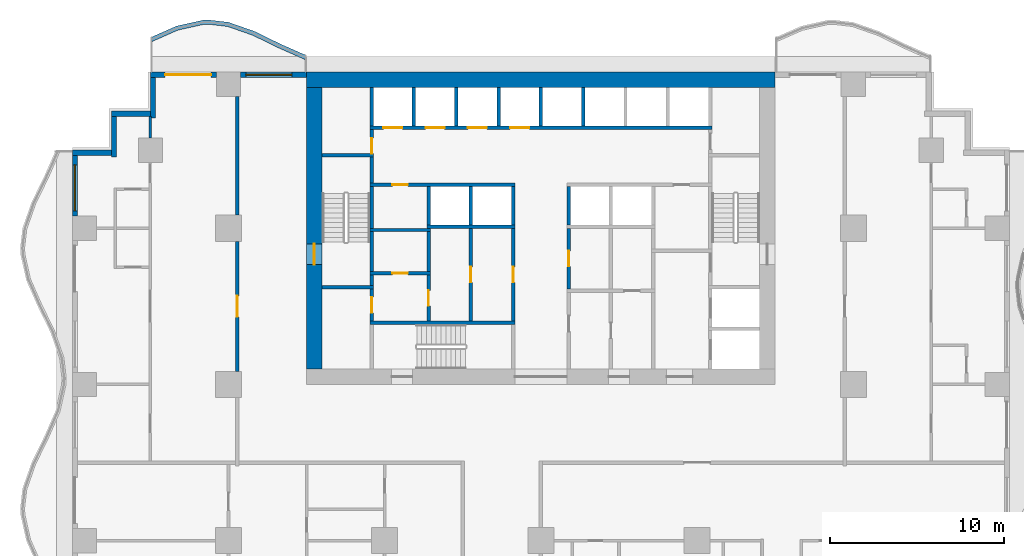
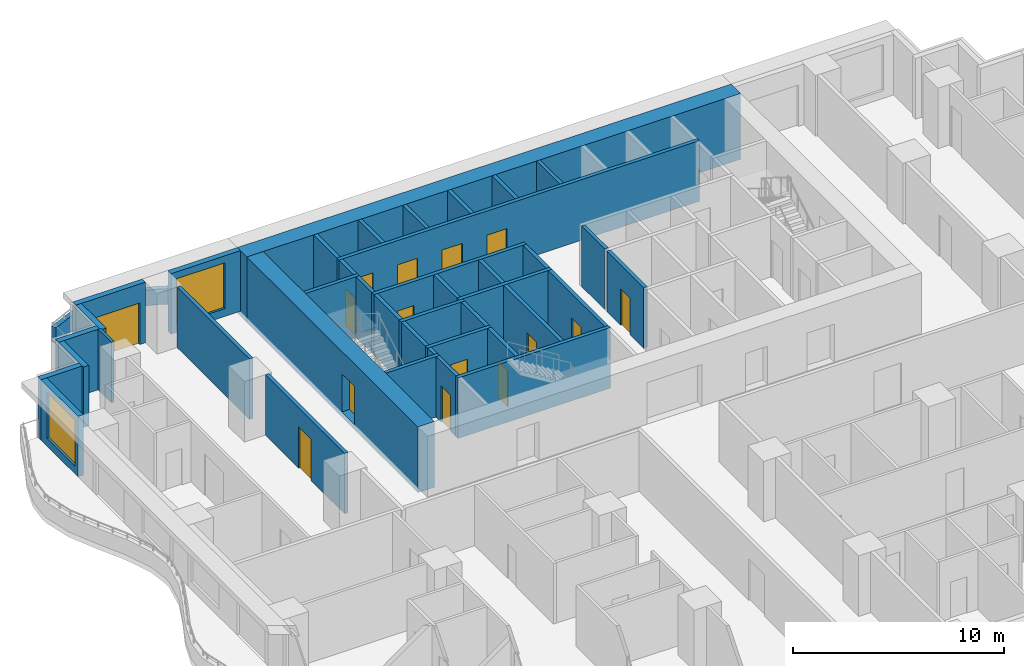
# One storey, part 5 of 14: 42 walls, 15 doors, 2 windows, 17 openings.
"""IFC4 building model written with IfcOpenShell, lengths in metres."""

from ifc_helpers import new_model, si_unit, direction, frame, frame_2d, origin, place, context, subcontext, project, spatial, polyline, rectangle, outline, extrude, material, layer, layer_set, type_object, element, fill, save


model = new_model("IFC4")

# Units and contexts
model_context = context("Model", 3, precision=1e-05, world=origin(), true_north=direction((0.0, 1.0)))
body_context = subcontext(model_context, "Body", "Model", "MODEL_VIEW")
ifc_project = project(units=[si_unit("LENGTHUNIT", "METRE"), si_unit("AREAUNIT", "SQUARE_METRE"), si_unit("VOLUMEUNIT", "CUBIC_METRE"), si_unit("PLANEANGLEUNIT", "RADIAN"), si_unit("MASSUNIT", "GRAM", prefix="KILO")], contexts=[model_context])

# Site, building, storey
site_placement = place(None, origin())
site = spatial("IfcSite", under=ifc_project, at=site_placement, CompositionType="ELEMENT")
building_placement = place(site_placement, origin())
building = spatial("IfcBuilding", under=site, at=building_placement, Name="Orbiselva Terraces", CompositionType="ELEMENT")
storey_placement = place(building_placement, frame((0.0, 0.0, 41.6)))
storey = spatial("IfcBuildingStorey", under=building, at=storey_placement, Name="L10", CompositionType="ELEMENT", Elevation=41.6)

# Wall, opening, door
ifc_material_1 = material(Name="Concrete C80/95", Category="concrete")
ifc_layer_1 = layer(ifc_material_1, 0.9)
ifc_layer_set_1 = layer_set([ifc_layer_1], Name="Concrete C80/95")
wall_type_1 = type_object("IfcWallType", Name="CORE WALL 900", PredefinedType="SHEAR", material=ifc_layer_set_1)
wall_1_placement = place(storey_placement, frame((-13.05, 21.6, -0.3), z_axis=(0.0, 0.0, 1.0), x_axis=(0.0, -1.0, 0.0)))
wall_1 = element("IfcWall", 1, at=wall_1_placement, inside=storey, type_object=wall_type_1, Name="Core wall L10 west", PredefinedType="SHEAR", context=body_context, shape_type="SweptSolid", body=[
    extrude(rectangle(XDim=16.2, YDim=0.9, at=frame_2d((8.1, 0.0))), origin(), (0.0, 0.0, 1.0), 3.8),
])
opening_1_placement = place(wall_1_placement, frame((9.0, 0.0, 0.3)))
opening_1 = element("IfcOpeningElement", 2, at=opening_1_placement, cuts=wall_1, Name="Opening DS1200", PredefinedType="OPENING", context=body_context, shape_type="SweptSolid", body=[
    extrude(rectangle(XDim=1.2, YDim=2.2, at=frame_2d((0.6, 1.1))), frame((0.0, 0.46, 0.0), z_axis=(0.0, -1.0, 0.0), x_axis=(1.0, 0.0, 0.0)), (0.0, 0.0, 1.0), 0.92),
])
ifc_material_2 = material(Name="Steel fire door", Category="steel")
door_type_1 = type_object("IfcDoorType", Name="STAIR DOOR 1200", OperationType="NOTDEFINED", PredefinedType="DOOR", material=ifc_material_2)
door_1_placement = place(opening_1_placement, frame((1.2, 0.0, 0.0), z_axis=(0.0, 0.0, 1.0), x_axis=(-1.0, 0.0, 0.0)))
door_1 = element("IfcDoor", 3, at=door_1_placement, inside=storey, type_object=door_type_1, Name="L10 EXIT STAIR S1 door", OperationType="SINGLE_SWING_RIGHT", OverallHeight=2.2, OverallWidth=1.2, PredefinedType="DOOR", context=body_context, shape_type="SweptSolid", body=[
    extrude(rectangle(XDim=1.2, YDim=2.2, at=frame_2d((0.6, 1.1))), frame((0.0, 0.025, 0.0), z_axis=(0.0, -1.0, 0.0), x_axis=(1.0, 0.0, 0.0)), (0.0, 0.0, 1.0), 0.05),
])
fill(opening_1, door_1)

# Wall
ifc_layer_2 = layer(ifc_material_1, 0.9)
ifc_layer_set_2 = layer_set([ifc_layer_2], Name="Concrete C80/95")
wall_type_2 = type_object("IfcWallType", Name="CORE WALL 900 EXTERNAL", PredefinedType="SHEAR", material=ifc_layer_set_2)
wall_2_placement = place(storey_placement, frame((13.5, 22.05, -0.3), z_axis=(0.0, 0.0, 1.0), x_axis=(-1.0, 0.0, 0.0)))
element("IfcWall", 4, at=wall_2_placement, inside=storey, type_object=wall_type_2, Name="Core wall L10 north", PredefinedType="SHEAR", context=body_context, shape_type="SweptSolid", body=[
    extrude(rectangle(XDim=27.0, YDim=0.9, at=frame_2d((13.5, 0.0))), origin(), (0.0, 0.0, 1.0), 3.8),
])

# Wall, opening, door
ifc_material_3 = material(Name="Masonry blockwork", Category="masonry")
ifc_layer_3 = layer(ifc_material_3, 0.2)
ifc_layer_set_3 = layer_set([ifc_layer_3], Name="Masonry blockwork")
wall_type_3 = type_object("IfcWallType", Name="CORE-WALL-PARTITION-200", PredefinedType="PARTITIONING", material=ifc_layer_set_3)
wall_3_placement = place(storey_placement, frame((-9.75, 8.15, 0.0), z_axis=(0.0, 0.0, 1.0), x_axis=(0.0, 1.0, 0.0)))
wall_3 = element("IfcWall", 5, at=wall_3_placement, inside=storey, type_object=wall_type_3, Name="L10 core wall 05", PredefinedType="PARTITIONING", context=body_context, shape_type="SweptSolid", body=[
    extrude(rectangle(XDim=1.85, YDim=0.2, at=frame_2d((0.925, 0.0))), origin(), (0.0, 0.0, 1.0), 3.5),
])
opening_2_placement = place(wall_3_placement, frame((0.475, 0.0, 0.0)))
opening_2 = element("IfcOpeningElement", 6, at=opening_2_placement, cuts=wall_3, Name="Opening DR900", PredefinedType="OPENING", context=body_context, shape_type="SweptSolid", body=[
    extrude(rectangle(XDim=0.9, YDim=2.1, at=frame_2d((0.45, 1.05))), frame((0.0, 0.11, 0.0), z_axis=(0.0, -1.0, 0.0), x_axis=(1.0, 0.0, 0.0)), (0.0, 0.0, 1.0), 0.22),
])
door_type_2 = type_object("IfcDoorType", Name="ROOM DOOR 900", OperationType="NOTDEFINED", PredefinedType="DOOR", material=ifc_material_2)
door_2_placement = place(opening_2_placement, origin())
door_2 = element("IfcDoor", 7, at=door_2_placement, inside=storey, type_object=door_type_2, Name="L10 STAFF WC door", OperationType="SINGLE_SWING_RIGHT", OverallHeight=2.1, OverallWidth=0.9, PredefinedType="DOOR", context=body_context, shape_type="SweptSolid", body=[
    extrude(rectangle(XDim=0.9, YDim=2.1, at=frame_2d((0.45, 1.05))), frame((0.0, 0.025, 0.0), z_axis=(0.0, -1.0, 0.0), x_axis=(1.0, 0.0, 0.0)), (0.0, 0.0, 1.0), 0.05),
])
fill(opening_2, door_2)

wall_4_placement = place(storey_placement, frame((-9.75, 17.8, 0.0), z_axis=(0.0, 0.0, 1.0), x_axis=(0.0, 1.0, 0.0)))
wall_4 = element("IfcWall", 8, at=wall_4_placement, inside=storey, type_object=wall_type_3, Name="L10 core wall 13", PredefinedType="PARTITIONING", context=body_context, shape_type="SweptSolid", body=[
    extrude(rectangle(XDim=1.4, YDim=0.2, at=frame_2d((0.7, 0.0))), origin(), (0.0, 0.0, 1.0), 3.5),
])
opening_3_placement = place(wall_4_placement, origin())
opening_3 = element("IfcOpeningElement", 9, at=opening_3_placement, cuts=wall_4, Name="Opening DR900", PredefinedType="OPENING", context=body_context, shape_type="SweptSolid", body=[
    extrude(rectangle(XDim=0.9, YDim=2.1, at=frame_2d((0.45, 1.05))), frame((0.0, 0.11, 0.0), z_axis=(0.0, -1.0, 0.0), x_axis=(1.0, 0.0, 0.0)), (0.0, 0.0, 1.0), 0.22),
])
door_3_placement = place(opening_3_placement, origin())
door_3 = element("IfcDoor", 10, at=door_3_placement, inside=storey, type_object=door_type_2, Name="L10 ELECTRICAL RISER ROOM door", OperationType="SINGLE_SWING_LEFT", OverallHeight=2.1, OverallWidth=0.9, PredefinedType="DOOR", context=body_context, shape_type="SweptSolid", body=[
    extrude(rectangle(XDim=0.9, YDim=2.1, at=frame_2d((0.45, 1.05))), frame((0.0, 0.025, 0.0), z_axis=(0.0, -1.0, 0.0), x_axis=(1.0, 0.0, 0.0)), (0.0, 0.0, 1.0), 0.05),
])
fill(opening_3, door_3)

wall_5_placement = place(storey_placement, frame((-6.475, 8.15, 0.0), z_axis=(0.0, 0.0, 1.0), x_axis=(0.0, 1.0, 0.0)))
wall_5 = element("IfcWall", 11, at=wall_5_placement, inside=storey, type_object=wall_type_3, Name="L10 core wall 17", PredefinedType="PARTITIONING", context=body_context, shape_type="SweptSolid", body=[
    extrude(rectangle(XDim=2.65, YDim=0.2, at=frame_2d((1.325, 0.0))), origin(), (0.0, 0.0, 1.0), 3.5),
])
opening_4_placement = place(wall_5_placement, frame((0.875, 0.0, 0.0)))
opening_4 = element("IfcOpeningElement", 12, at=opening_4_placement, cuts=wall_5, Name="Opening DR900", PredefinedType="OPENING", context=body_context, shape_type="SweptSolid", body=[
    extrude(rectangle(XDim=0.9, YDim=2.1, at=frame_2d((0.45, 1.05))), frame((0.0, 0.11, 0.0), z_axis=(0.0, -1.0, 0.0), x_axis=(1.0, 0.0, 0.0)), (0.0, 0.0, 1.0), 0.22),
])
door_4_placement = place(opening_4_placement, origin())
door_4 = element("IfcDoor", 13, at=door_4_placement, inside=storey, type_object=door_type_2, Name="L10 UNIFORM STORE door", OperationType="SINGLE_SWING_LEFT", OverallHeight=2.1, OverallWidth=0.9, PredefinedType="DOOR", context=body_context, shape_type="SweptSolid", body=[
    extrude(rectangle(XDim=0.9, YDim=2.1, at=frame_2d((0.45, 1.05))), frame((0.0, 0.025, 0.0), z_axis=(0.0, -1.0, 0.0), x_axis=(1.0, 0.0, 0.0)), (0.0, 0.0, 1.0), 0.05),
])
fill(opening_4, door_4)

# Wall
wall_6_placement = place(storey_placement, frame((-6.475, 11.0, 0.0), z_axis=(0.0, 0.0, 1.0), x_axis=(0.0, 1.0, 0.0)))
element("IfcWall", 14, at=wall_6_placement, inside=storey, type_object=wall_type_3, Name="L10 core wall 18", PredefinedType="PARTITIONING", context=body_context, shape_type="SweptSolid", body=[
    extrude(rectangle(XDim=2.3, YDim=0.2, at=frame_2d((1.15, 0.0))), origin(), (0.0, 0.0, 1.0), 3.5),
])

# Wall, opening, door
wall_7_placement = place(storey_placement, frame((-4.0375, 8.15, 0.0), z_axis=(0.0, 0.0, 1.0), x_axis=(0.0, 1.0, 0.0)))
wall_7 = element("IfcWall", 15, at=wall_7_placement, inside=storey, type_object=wall_type_3, Name="L10 core wall 22", PredefinedType="PARTITIONING", context=body_context, shape_type="SweptSolid", body=[
    extrude(rectangle(XDim=5.35, YDim=0.2, at=frame_2d((2.675, 0.0))), origin(), (0.0, 0.0, 1.0), 3.5),
])
opening_5_placement = place(wall_7_placement, frame((2.225, 0.0, 0.0)))
opening_5 = element("IfcOpeningElement", 16, at=opening_5_placement, cuts=wall_7, Name="Opening DR900", PredefinedType="OPENING", context=body_context, shape_type="SweptSolid", body=[
    extrude(rectangle(XDim=0.9, YDim=2.1, at=frame_2d((0.45, 1.05))), frame((0.0, 0.11, 0.0), z_axis=(0.0, -1.0, 0.0), x_axis=(1.0, 0.0, 0.0)), (0.0, 0.0, 1.0), 0.22),
])
door_5_placement = place(opening_5_placement, origin())
door_5 = element("IfcDoor", 17, at=door_5_placement, inside=storey, type_object=door_type_2, Name="L10 BUILDING STORE door", OperationType="SINGLE_SWING_RIGHT", OverallHeight=2.1, OverallWidth=0.9, PredefinedType="DOOR", context=body_context, shape_type="SweptSolid", body=[
    extrude(rectangle(XDim=0.9, YDim=2.1, at=frame_2d((0.45, 1.05))), frame((0.0, 0.025, 0.0), z_axis=(0.0, -1.0, 0.0), x_axis=(1.0, 0.0, 0.0)), (0.0, 0.0, 1.0), 0.05),
])
fill(opening_5, door_5)

# Walls
ifc_material_4 = material(Name="Concrete C40/50", Category="concrete")
ifc_layer_4 = layer(ifc_material_4, 0.2)
ifc_layer_set_4 = layer_set([ifc_layer_4], Name="Concrete C40/50")
wall_type_4 = type_object("IfcWallType", Name="CORE-WALL-SHAFT-200", PredefinedType="PARTITIONING", material=ifc_layer_set_4)
for number, where, z_axis, x_axis, name in (
    (18, (-9.75, 19.4, 0.0), (0.0, 0.0, 1.0), (0.0, 1.0, 0.0), "L10 core wall 15"),
    (19, (-7.3125, 19.4, 0.0), (0.0, 0.0, 1.0), (0.0, 1.0, 0.0), "L10 core wall 16"),
    (20, (-6.475, 13.7, 0.0), (0.0, 0.0, 1.0), (0.0, 1.0, 0.0), "L10 core wall 20"),
    (21, (-4.875, 19.4, 0.0), (0.0, 0.0, 1.0), (0.0, 1.0, 0.0), "L10 core wall 21"),
    (22, (-4.0375, 13.7, 0.0), (0.0, 0.0, 1.0), (0.0, 1.0, 0.0), "L10 core wall 23"),
    (23, (-2.4375, 19.4, 0.0), (0.0, 0.0, 1.0), (0.0, 1.0, 0.0), "L10 core wall 24"),
    (24, (-1.6, 13.7, 0.0), (0.0, 0.0, 1.0), (0.0, 1.0, 0.0), "L10 core wall 27"),
    (25, (0.0, 19.4, 0.0), (0.0, 0.0, 1.0), (0.0, 1.0, 0.0), "L10 core wall 28"),
    (26, (1.6, 13.7, 0.0), (0.0, 0.0, 1.0), (0.0, 1.0, 0.0), "L10 core wall 33"),
    (27, (2.4375, 19.4, 0.0), (0.0, 0.0, 1.0), (0.0, 1.0, 0.0), "L10 core wall 35"),
):
    element("IfcWall", number, at=place(storey_placement, frame(where, z_axis=z_axis, x_axis=x_axis)), inside=storey, type_object=wall_type_4, Name=name, PredefinedType="PARTITIONING", context=body_context, shape_type="SweptSolid", body=[
        extrude(rectangle(XDim=2.2, YDim=0.2, at=frame_2d((1.1, 0.0))), origin(), (0.0, 0.0, 1.0), 3.5),
    ])
ifc_material_5 = material(Name="Concrete C60/75", Category="concrete")
ifc_layer_5 = layer(ifc_material_5, 0.2)
ifc_layer_set_5 = layer_set([ifc_layer_5], Name="Concrete C60/75")
wall_type_5 = type_object("IfcWallType", Name="CORE-WALL-SHEAR-200", PredefinedType="SHEAR", material=ifc_layer_set_5)
for number, where, z_axis, x_axis, name in (
    (28, (-12.6, 10.1, 0.0), (0.0, 0.0, 1.0), (1.0, 0.0, 0.0), "L10 core wall 01"),
    (29, (-12.6, 17.7, 0.0), (0.0, 0.0, 1.0), (1.0, 0.0, 0.0), "L10 core wall 02"),
):
    element("IfcWall", number, at=place(storey_placement, frame(where, z_axis=z_axis, x_axis=x_axis)), inside=storey, type_object=wall_type_5, Name=name, PredefinedType="SHEAR", context=body_context, shape_type="SweptSolid", body=[
        extrude(rectangle(XDim=2.95, YDim=0.2, at=frame_2d((1.475, 0.0))), origin(), (0.0, 0.0, 1.0), 3.5),
    ])
wall_8_placement = place(storey_placement, frame((-9.85, 8.05, 0.0), z_axis=(0.0, 0.0, 1.0), x_axis=(1.0, 0.0, 0.0)))
element("IfcWall", 30, at=wall_8_placement, inside=storey, type_object=wall_type_5, Name="L10 core wall 04", PredefinedType="SHEAR", context=body_context, shape_type="SweptSolid", body=[
    extrude(rectangle(XDim=8.35, YDim=0.2, at=frame_2d((4.175, 0.0))), origin(), (0.0, 0.0, 1.0), 3.5),
])
wall_9_placement = place(storey_placement, frame((-9.75, 10.2, 0.0), z_axis=(0.0, 0.0, 1.0), x_axis=(0.0, 1.0, 0.0)))
element("IfcWall", 31, at=wall_9_placement, inside=storey, type_object=wall_type_5, Name="L10 core wall 06", PredefinedType="SHEAR", context=body_context, shape_type="SweptSolid", body=[
    extrude(rectangle(XDim=0.6, YDim=0.2, at=frame_2d((0.3, 0.0))), origin(), (0.0, 0.0, 1.0), 3.5),
])

# Wall, opening, door
wall_10_placement = place(storey_placement, frame((-9.85, 10.9, 0.0), z_axis=(0.0, 0.0, 1.0), x_axis=(1.0, 0.0, 0.0)))
wall_10 = element("IfcWall", 32, at=wall_10_placement, inside=storey, type_object=wall_type_5, Name="L10 core wall 07", PredefinedType="SHEAR", context=body_context, shape_type="SweptSolid", body=[
    extrude(rectangle(XDim=3.475, YDim=0.2, at=frame_2d((1.7375, 0.0))), origin(), (0.0, 0.0, 1.0), 3.5),
])
opening_6_placement = place(wall_10_placement, frame((1.2875, 0.0, 0.0)))
opening_6 = element("IfcOpeningElement", 33, at=opening_6_placement, cuts=wall_10, Name="Opening DR900", PredefinedType="OPENING", context=body_context, shape_type="SweptSolid", body=[
    extrude(rectangle(XDim=0.9, YDim=2.1, at=frame_2d((0.45, 1.05))), frame((0.0, 0.11, 0.0), z_axis=(0.0, -1.0, 0.0), x_axis=(1.0, 0.0, 0.0)), (0.0, 0.0, 1.0), 0.22),
])
door_6_placement = place(opening_6_placement, origin())
door_6 = element("IfcDoor", 34, at=door_6_placement, inside=storey, type_object=door_type_2, Name="L10 LAUNDRY ROOM door", OperationType="SINGLE_SWING_RIGHT", OverallHeight=2.1, OverallWidth=0.9, PredefinedType="DOOR", context=body_context, shape_type="SweptSolid", body=[
    extrude(rectangle(XDim=0.9, YDim=2.1, at=frame_2d((0.45, 1.05))), frame((0.0, 0.025, 0.0), z_axis=(0.0, -1.0, 0.0), x_axis=(1.0, 0.0, 0.0)), (0.0, 0.0, 1.0), 0.05),
])
fill(opening_6, door_6)

# Walls
wall_11_placement = place(storey_placement, frame((-9.75, 11.0, 0.0), z_axis=(0.0, 0.0, 1.0), x_axis=(0.0, 1.0, 0.0)))
element("IfcWall", 35, at=wall_11_placement, inside=storey, type_object=wall_type_5, Name="L10 core wall 08", PredefinedType="SHEAR", context=body_context, shape_type="SweptSolid", body=[
    extrude(rectangle(XDim=2.3, YDim=0.2, at=frame_2d((1.15, 0.0))), origin(), (0.0, 0.0, 1.0), 3.5),
])
wall_12_placement = place(storey_placement, frame((-9.85, 13.4, 0.0), z_axis=(0.0, 0.0, 1.0), x_axis=(1.0, 0.0, 0.0)))
element("IfcWall", 36, at=wall_12_placement, inside=storey, type_object=wall_type_5, Name="L10 core wall 09", PredefinedType="SHEAR", context=body_context, shape_type="SweptSolid", body=[
    extrude(rectangle(XDim=3.475, YDim=0.2, at=frame_2d((1.7375, 0.0))), origin(), (0.0, 0.0, 1.0), 3.5),
])
wall_13_placement = place(storey_placement, frame((-9.75, 13.5, 0.0), z_axis=(0.0, 0.0, 1.0), x_axis=(0.0, 1.0, 0.0)))
element("IfcWall", 37, at=wall_13_placement, inside=storey, type_object=wall_type_5, Name="L10 core wall 10", PredefinedType="SHEAR", context=body_context, shape_type="SweptSolid", body=[
    extrude(rectangle(XDim=2.4, YDim=0.2, at=frame_2d((1.2, 0.0))), origin(), (0.0, 0.0, 1.0), 3.5),
])

# Wall, opening, door
wall_14_placement = place(storey_placement, frame((-1.5, 16.0, 0.0), z_axis=(0.0, 0.0, 1.0), x_axis=(-1.0, 0.0, 0.0)))
wall_14 = element("IfcWall", 38, at=wall_14_placement, inside=storey, type_object=wall_type_5, Name="L10 core wall 11", PredefinedType="SHEAR", context=body_context, shape_type="SweptSolid", body=[
    extrude(rectangle(XDim=8.35, YDim=0.2, at=frame_2d((4.175, 0.0))), origin(), (0.0, 0.0, 1.0), 3.5),
])
opening_7_placement = place(wall_14_placement, frame((6.1625, 0.0, 0.0)))
opening_7 = element("IfcOpeningElement", 39, at=opening_7_placement, cuts=wall_14, Name="Opening DR900", PredefinedType="OPENING", context=body_context, shape_type="SweptSolid", body=[
    extrude(rectangle(XDim=0.9, YDim=2.1, at=frame_2d((0.45, 1.05))), frame((0.0, 0.11, 0.0), z_axis=(0.0, -1.0, 0.0), x_axis=(1.0, 0.0, 0.0)), (0.0, 0.0, 1.0), 0.22),
])
door_7_placement = place(opening_7_placement, origin())
door_7 = element("IfcDoor", 40, at=door_7_placement, inside=storey, type_object=door_type_2, Name="L10 STAFF PANTRY door", OperationType="SINGLE_SWING_RIGHT", OverallHeight=2.1, OverallWidth=0.9, PredefinedType="DOOR", context=body_context, shape_type="SweptSolid", body=[
    extrude(rectangle(XDim=0.9, YDim=2.1, at=frame_2d((0.45, 1.05))), frame((0.0, 0.025, 0.0), z_axis=(0.0, -1.0, 0.0), x_axis=(1.0, 0.0, 0.0)), (0.0, 0.0, 1.0), 0.05),
])
fill(opening_7, door_7)

# Wall
wall_15_placement = place(storey_placement, frame((-9.75, 16.1, 0.0), z_axis=(0.0, 0.0, 1.0), x_axis=(0.0, 1.0, 0.0)))
element("IfcWall", 41, at=wall_15_placement, inside=storey, type_object=wall_type_5, Name="L10 core wall 12", PredefinedType="SHEAR", context=body_context, shape_type="SweptSolid", body=[
    extrude(rectangle(XDim=1.5, YDim=0.2, at=frame_2d((0.75, 0.0))), origin(), (0.0, 0.0, 1.0), 3.5),
])

# Wall, openings, doors
wall_16_placement = place(storey_placement, frame((-9.85, 19.3, 0.0), z_axis=(0.0, 0.0, 1.0), x_axis=(1.0, 0.0, 0.0)))
wall_16 = element("IfcWall", 42, at=wall_16_placement, inside=storey, type_object=wall_type_5, Name="L10 core wall 14", PredefinedType="SHEAR", context=body_context, shape_type="SweptSolid", body=[
    extrude(rectangle(XDim=19.7, YDim=0.2, at=frame_2d((9.85, 0.0))), origin(), (0.0, 0.0, 1.0), 3.5),
])
opening_8_placement = place(wall_16_placement, frame((0.76875, 0.0, 0.0)))
opening_8 = element("IfcOpeningElement", 43, at=opening_8_placement, cuts=wall_16, Name="Opening LD-LR1", PredefinedType="OPENING", context=body_context, shape_type="SweptSolid", body=[
    extrude(rectangle(XDim=1.1, YDim=2.1, at=frame_2d((0.55, 1.05))), frame((0.0, 0.11, 0.0), z_axis=(0.0, -1.0, 0.0), x_axis=(1.0, 0.0, 0.0)), (0.0, 0.0, 1.0), 0.22),
])
opening_9_placement = place(wall_16_placement, frame((3.20625, 0.0, 0.0)))
opening_9 = element("IfcOpeningElement", 44, at=opening_9_placement, cuts=wall_16, Name="Opening LD-LR2", PredefinedType="OPENING", context=body_context, shape_type="SweptSolid", body=[
    extrude(rectangle(XDim=1.1, YDim=2.1, at=frame_2d((0.55, 1.05))), frame((0.0, 0.11, 0.0), z_axis=(0.0, -1.0, 0.0), x_axis=(1.0, 0.0, 0.0)), (0.0, 0.0, 1.0), 0.22),
])
opening_10_placement = place(wall_16_placement, frame((5.64375, 0.0, 0.0)))
opening_10 = element("IfcOpeningElement", 45, at=opening_10_placement, cuts=wall_16, Name="Opening LD-LR3", PredefinedType="OPENING", context=body_context, shape_type="SweptSolid", body=[
    extrude(rectangle(XDim=1.1, YDim=2.1, at=frame_2d((0.55, 1.05))), frame((0.0, 0.11, 0.0), z_axis=(0.0, -1.0, 0.0), x_axis=(1.0, 0.0, 0.0)), (0.0, 0.0, 1.0), 0.22),
])
opening_11_placement = place(wall_16_placement, frame((8.08125, 0.0, 0.0)))
opening_11 = element("IfcOpeningElement", 46, at=opening_11_placement, cuts=wall_16, Name="Opening LD-LR4", PredefinedType="OPENING", context=body_context, shape_type="SweptSolid", body=[
    extrude(rectangle(XDim=1.1, YDim=2.1, at=frame_2d((0.55, 1.05))), frame((0.0, 0.11, 0.0), z_axis=(0.0, -1.0, 0.0), x_axis=(1.0, 0.0, 0.0)), (0.0, 0.0, 1.0), 0.22),
])
ifc_material_6 = material(Name="Stainless steel landing door", Category="steel")
door_type_3 = type_object("IfcDoorType", Name="LANDING DOOR 1100", OperationType="SLIDING_TO_LEFT", PredefinedType="DOOR", material=ifc_material_6)
door_8_placement = place(opening_8_placement, origin())
door_8 = element("IfcDoor", 47, at=door_8_placement, inside=storey, type_object=door_type_3, Name="L10 landing door LR1", OperationType="SLIDING_TO_LEFT", OverallHeight=2.1, OverallWidth=1.1, PredefinedType="DOOR", context=body_context, shape_type="SweptSolid", body=[
    extrude(rectangle(XDim=1.1, YDim=2.1, at=frame_2d((0.55, 1.05))), frame((0.0, 0.025, 0.0), z_axis=(0.0, -1.0, 0.0), x_axis=(1.0, 0.0, 0.0)), (0.0, 0.0, 1.0), 0.05),
])
fill(opening_8, door_8)
door_9_placement = place(opening_9_placement, origin())
door_9 = element("IfcDoor", 48, at=door_9_placement, inside=storey, type_object=door_type_3, Name="L10 landing door LR2", OperationType="SLIDING_TO_LEFT", OverallHeight=2.1, OverallWidth=1.1, PredefinedType="DOOR", context=body_context, shape_type="SweptSolid", body=[
    extrude(rectangle(XDim=1.1, YDim=2.1, at=frame_2d((0.55, 1.05))), frame((0.0, 0.025, 0.0), z_axis=(0.0, -1.0, 0.0), x_axis=(1.0, 0.0, 0.0)), (0.0, 0.0, 1.0), 0.05),
])
fill(opening_9, door_9)
door_10_placement = place(opening_10_placement, origin())
door_10 = element("IfcDoor", 49, at=door_10_placement, inside=storey, type_object=door_type_3, Name="L10 landing door LR3", OperationType="SLIDING_TO_LEFT", OverallHeight=2.1, OverallWidth=1.1, PredefinedType="DOOR", context=body_context, shape_type="SweptSolid", body=[
    extrude(rectangle(XDim=1.1, YDim=2.1, at=frame_2d((0.55, 1.05))), frame((0.0, 0.025, 0.0), z_axis=(0.0, -1.0, 0.0), x_axis=(1.0, 0.0, 0.0)), (0.0, 0.0, 1.0), 0.05),
])
fill(opening_10, door_10)
door_11_placement = place(opening_11_placement, origin())
door_11 = element("IfcDoor", 50, at=door_11_placement, inside=storey, type_object=door_type_3, Name="L10 landing door LR4", OperationType="SLIDING_TO_LEFT", OverallHeight=2.1, OverallWidth=1.1, PredefinedType="DOOR", context=body_context, shape_type="SweptSolid", body=[
    extrude(rectangle(XDim=1.1, YDim=2.1, at=frame_2d((0.55, 1.05))), frame((0.0, 0.025, 0.0), z_axis=(0.0, -1.0, 0.0), x_axis=(1.0, 0.0, 0.0)), (0.0, 0.0, 1.0), 0.05),
])
fill(opening_11, door_11)

# Wall
wall_17_placement = place(storey_placement, frame((-6.575, 13.6, 0.0), z_axis=(0.0, 0.0, 1.0), x_axis=(1.0, 0.0, 0.0)))
element("IfcWall", 51, at=wall_17_placement, inside=storey, type_object=wall_type_5, Name="L10 core wall 19", PredefinedType="SHEAR", context=body_context, shape_type="SweptSolid", body=[
    extrude(rectangle(XDim=5.075, YDim=0.2, at=frame_2d((2.5375, 0.0))), origin(), (0.0, 0.0, 1.0), 3.5),
])

# Wall, opening, door
wall_18_placement = place(storey_placement, frame((-1.6, 8.15, 0.0), z_axis=(0.0, 0.0, 1.0), x_axis=(0.0, 1.0, 0.0)))
wall_18 = element("IfcWall", 52, at=wall_18_placement, inside=storey, type_object=wall_type_5, Name="L10 core wall 26", PredefinedType="SHEAR", context=body_context, shape_type="SweptSolid", body=[
    extrude(rectangle(XDim=5.35, YDim=0.2, at=frame_2d((2.675, 0.0))), origin(), (0.0, 0.0, 1.0), 3.5),
])
opening_12_placement = place(wall_18_placement, frame((2.225, 0.0, 0.0)))
opening_12 = element("IfcOpeningElement", 53, at=opening_12_placement, cuts=wall_18, Name="Opening DR900", PredefinedType="OPENING", context=body_context, shape_type="SweptSolid", body=[
    extrude(rectangle(XDim=0.9, YDim=2.1, at=frame_2d((0.45, 1.05))), frame((0.0, 0.11, 0.0), z_axis=(0.0, -1.0, 0.0), x_axis=(1.0, 0.0, 0.0)), (0.0, 0.0, 1.0), 0.22),
])
door_12_placement = place(opening_12_placement, origin())
door_12 = element("IfcDoor", 54, at=door_12_placement, inside=storey, type_object=door_type_2, Name="L10 GUEST PANTRY door", OperationType="SINGLE_SWING_RIGHT", OverallHeight=2.1, OverallWidth=0.9, PredefinedType="DOOR", context=body_context, shape_type="SweptSolid", body=[
    extrude(rectangle(XDim=0.9, YDim=2.1, at=frame_2d((0.45, 1.05))), frame((0.0, 0.025, 0.0), z_axis=(0.0, -1.0, 0.0), x_axis=(1.0, 0.0, 0.0)), (0.0, 0.0, 1.0), 0.05),
])
fill(opening_12, door_12)

wall_19_placement = place(storey_placement, frame((1.6, 13.5, 0.0), z_axis=(0.0, 0.0, 1.0), x_axis=(0.0, -1.0, 0.0)))
wall_19 = element("IfcWall", 55, at=wall_19_placement, inside=storey, type_object=wall_type_5, Name="L10 core wall 31", PredefinedType="SHEAR", context=body_context, shape_type="SweptSolid", body=[
    extrude(rectangle(XDim=3.5, YDim=0.2, at=frame_2d((1.75, 0.0))), origin(), (0.0, 0.0, 1.0), 3.5),
])
opening_13_placement = place(wall_19_placement, frame((1.3, 0.0, 0.0)))
opening_13 = element("IfcOpeningElement", 56, at=opening_13_placement, cuts=wall_19, Name="Opening DR900", PredefinedType="OPENING", context=body_context, shape_type="SweptSolid", body=[
    extrude(rectangle(XDim=0.9, YDim=2.1, at=frame_2d((0.45, 1.05))), frame((0.0, 0.11, 0.0), z_axis=(0.0, -1.0, 0.0), x_axis=(1.0, 0.0, 0.0)), (0.0, 0.0, 1.0), 0.22),
])
door_13_placement = place(opening_13_placement, origin())
door_13 = element("IfcDoor", 57, at=door_13_placement, inside=storey, type_object=door_type_2, Name="L10 COMMS ROOM door", OperationType="SINGLE_SWING_RIGHT", OverallHeight=2.1, OverallWidth=0.9, PredefinedType="DOOR", context=body_context, shape_type="SweptSolid", body=[
    extrude(rectangle(XDim=0.9, YDim=2.1, at=frame_2d((0.45, 1.05))), frame((0.0, 0.025, 0.0), z_axis=(0.0, -1.0, 0.0), x_axis=(1.0, 0.0, 0.0)), (0.0, 0.0, 1.0), 0.05),
])
fill(opening_13, door_13)

# Wall
ifc_layer_6 = layer(ifc_material_4, 0.25)
ifc_layer_set_6 = layer_set([ifc_layer_6], Name="Concrete C40/50")
wall_type_6 = type_object("IfcWallType", Name="ENV-PLANTER-250x900", PredefinedType="USERDEFINED", material=ifc_layer_set_6)
wall_20_placement = place(storey_placement, origin())
element("IfcWall", 58, at=wall_20_placement, inside=storey, type_object=wall_type_6, Name="Balcony planter L10 NW", ObjectType="PLANTER", PredefinedType="USERDEFINED", context=body_context, shape_type="SweptSolid", body=[
    extrude(outline(polyline([(-13.5, 23.451472), (-15.0, 24.112279), (-16.5, 24.844789), (-18.0, 25.369208), (-19.125, 25.5), (-19.5, 25.485226), (-21.0, 25.148528), (-22.5, 24.487721), (-22.399212, 24.258938), (-20.921492, 24.90993), (-19.467435, 25.236315), (-19.134572, 25.249429), (-18.056371, 25.124078), (-16.59644, 24.613667), (-15.105286, 23.885477), (-13.600788, 23.222689), (-13.5, 23.451472)])), origin(), (0.0, 0.0, 1.0), 0.9),
])

# Wall, opening, window
ifc_material_7 = material(Name="Terracotta cladding on masonry backing", Category="masonry")
ifc_layer_7 = layer(ifc_material_7, 0.3)
ifc_layer_set_7 = layer_set([ifc_layer_7], Name="Terracotta cladding on masonry backing")
wall_type_7 = type_object("IfcWallType", Name="ENV-WALL-TERRACOTTA-300", PredefinedType="SOLIDWALL", material=ifc_layer_set_7)
wall_21_placement = place(storey_placement, frame((-17.3, 22.35, 0.0), z_axis=(0.0, 0.0, 1.0), x_axis=(1.0, 0.0, 0.0)))
wall_21 = element("IfcWall", 59, at=wall_21_placement, inside=storey, type_object=wall_type_7, Name="Facade wall L10 NW", PredefinedType="SOLIDWALL", context=body_context, shape_type="SweptSolid", body=[
    extrude(rectangle(XDim=3.8, YDim=0.3, at=frame_2d((1.9, 0.0))), origin(), (0.0, 0.0, 1.0), 3.5),
])
opening_14_placement = place(wall_21_placement, frame((0.3, 0.0, 0.45)))
opening_14 = element("IfcOpeningElement", 60, at=opening_14_placement, cuts=wall_21, Name="Opening WN3", PredefinedType="OPENING", context=body_context, shape_type="SweptSolid", body=[
    extrude(rectangle(XDim=2.65, YDim=2.65, at=frame_2d((1.325, 1.325))), frame((0.0, 0.16, 0.0), z_axis=(0.0, -1.0, 0.0), x_axis=(1.0, 0.0, 0.0)), (0.0, 0.0, 1.0), 0.32),
])
ifc_material_8 = material(Name="Clear low-e glazing in aluminium frame", Category="aluminium")
window_type = type_object("IfcWindowType", Name="WINDOW 2650 X 2650 S450", PartitioningType="TRIPLE_PANEL_VERTICAL", PredefinedType="WINDOW", material=ifc_material_8)
window_1_placement = place(opening_14_placement, origin())
window_1 = element("IfcWindow", 61, at=window_1_placement, inside=storey, type_object=window_type, Name="Window L10 NW", OverallHeight=2.65, OverallWidth=2.65, PartitioningType="SINGLE_PANEL", PredefinedType="WINDOW", context=body_context, shape_type="SweptSolid", body=[
    extrude(rectangle(XDim=2.65, YDim=2.65, at=frame_2d((1.325, 1.325))), frame((0.0, 0.03, 0.0), z_axis=(0.0, -1.0, 0.0), x_axis=(1.0, 0.0, 0.0)), (0.0, 0.0, 1.0), 0.06),
])
fill(opening_14, window_1)

# Wall, opening, door
wall_22_placement = place(storey_placement, frame((-22.5, 22.35, 0.0), z_axis=(0.0, 0.0, 1.0), x_axis=(1.0, 0.0, 0.0)))
wall_22 = element("IfcWall", 62, at=wall_22_placement, inside=storey, type_object=wall_type_7, Name="Facade wall L10 NW", PredefinedType="SOLIDWALL", context=body_context, shape_type="SweptSolid", body=[
    extrude(rectangle(XDim=3.8, YDim=0.3, at=frame_2d((1.9, 0.0))), origin(), (0.0, 0.0, 1.0), 3.5),
])
opening_15_placement = place(wall_22_placement, frame((0.85, 0.0, 0.0)))
opening_15 = element("IfcOpeningElement", 63, at=opening_15_placement, cuts=wall_22, Name="Opening Z1-C-E21", PredefinedType="OPENING", context=body_context, shape_type="SweptSolid", body=[
    extrude(rectangle(XDim=2.65, YDim=2.4, at=frame_2d((1.325, 1.2))), frame((0.0, 0.16, 0.0), z_axis=(0.0, -1.0, 0.0), x_axis=(1.0, 0.0, 0.0)), (0.0, 0.0, 1.0), 0.32),
])
door_type_4 = type_object("IfcDoorType", Name="BALCONY DOOR 2650 X 2400", OperationType="DOUBLE_DOOR_SLIDING", PredefinedType="DOOR", material=ifc_material_8)
door_14_placement = place(opening_15_placement, origin())
door_14 = element("IfcDoor", 64, at=door_14_placement, inside=storey, type_object=door_type_4, Name="Z1-C-E21", OperationType="SINGLE_SWING_LEFT", OverallHeight=2.4, OverallWidth=2.65, PredefinedType="DOOR", context=body_context, shape_type="SweptSolid", body=[
    extrude(rectangle(XDim=2.65, YDim=2.4, at=frame_2d((1.325, 1.2))), frame((0.0, 0.025, 0.0), z_axis=(0.0, -1.0, 0.0), x_axis=(1.0, 0.0, 0.0)), (0.0, 0.0, 1.0), 0.05),
])
fill(opening_15, door_14)

# Walls
wall_23_placement = place(storey_placement, frame((-22.35, 19.85, 0.0), z_axis=(0.0, 0.0, 1.0), x_axis=(0.0, 1.0, 0.0)))
element("IfcWall", 65, at=wall_23_placement, inside=storey, type_object=wall_type_7, Name="Facade wall L10 STEP", PredefinedType="SOLIDWALL", context=body_context, shape_type="SweptSolid", body=[
    extrude(rectangle(XDim=2.35, YDim=0.3, at=frame_2d((1.175, 0.0))), origin(), (0.0, 0.0, 1.0), 3.5),
])
wall_24_placement = place(storey_placement, frame((-24.75, 20.1, 0.0), z_axis=(0.0, 0.0, 1.0), x_axis=(1.0, 0.0, 0.0)))
element("IfcWall", 66, at=wall_24_placement, inside=storey, type_object=wall_type_7, Name="Facade wall L10 STEP", PredefinedType="SOLIDWALL", context=body_context, shape_type="SweptSolid", body=[
    extrude(rectangle(XDim=2.25, YDim=0.3, at=frame_2d((1.125, 0.0))), origin(), (0.0, 0.0, 1.0), 3.5),
])
wall_25_placement = place(storey_placement, frame((-24.6, 17.6, 0.0), z_axis=(0.0, 0.0, 1.0), x_axis=(0.0, 1.0, 0.0)))
element("IfcWall", 67, at=wall_25_placement, inside=storey, type_object=wall_type_7, Name="Facade wall L10 STEP", PredefinedType="SOLIDWALL", context=body_context, shape_type="SweptSolid", body=[
    extrude(rectangle(XDim=2.35, YDim=0.3, at=frame_2d((1.175, 0.0))), origin(), (0.0, 0.0, 1.0), 3.5),
])
wall_26_placement = place(storey_placement, frame((-27.0, 17.85, 0.0), z_axis=(0.0, 0.0, 1.0), x_axis=(1.0, 0.0, 0.0)))
element("IfcWall", 68, at=wall_26_placement, inside=storey, type_object=wall_type_7, Name="Facade wall L10 STEP", PredefinedType="SOLIDWALL", context=body_context, shape_type="SweptSolid", body=[
    extrude(rectangle(XDim=2.25, YDim=0.3, at=frame_2d((1.125, 0.0))), origin(), (0.0, 0.0, 1.0), 3.5),
])

# Wall, opening, window
wall_27_placement = place(storey_placement, frame((-26.85, 14.2, 0.0), z_axis=(0.0, 0.0, 1.0), x_axis=(0.0, 1.0, 0.0)))
wall_27 = element("IfcWall", 69, at=wall_27_placement, inside=storey, type_object=wall_type_7, Name="Facade wall L10 W", PredefinedType="SOLIDWALL", context=body_context, shape_type="SweptSolid", body=[
    extrude(rectangle(XDim=3.5, YDim=0.3, at=frame_2d((1.75, 0.0))), origin(), (0.0, 0.0, 1.0), 3.5),
])
opening_16_placement = place(wall_27_placement, frame((0.3, 0.0, 0.45)))
opening_16 = element("IfcOpeningElement", 70, at=opening_16_placement, cuts=wall_27, Name="Opening WN3", PredefinedType="OPENING", context=body_context, shape_type="SweptSolid", body=[
    extrude(rectangle(XDim=2.65, YDim=2.65, at=frame_2d((1.325, 1.325))), frame((0.0, 0.16, 0.0), z_axis=(0.0, -1.0, 0.0), x_axis=(1.0, 0.0, 0.0)), (0.0, 0.0, 1.0), 0.32),
])
window_2_placement = place(opening_16_placement, origin())
window_2 = element("IfcWindow", 71, at=window_2_placement, inside=storey, type_object=window_type, Name="Window L10 W", OverallHeight=2.65, OverallWidth=2.65, PartitioningType="SINGLE_PANEL", PredefinedType="WINDOW", context=body_context, shape_type="SweptSolid", body=[
    extrude(rectangle(XDim=2.65, YDim=2.65, at=frame_2d((1.325, 1.325))), frame((0.0, 0.03, 0.0), z_axis=(0.0, -1.0, 0.0), x_axis=(1.0, 0.0, 0.0)), (0.0, 0.0, 1.0), 0.06),
])
fill(opening_16, window_2)

# Wall, opening, door
ifc_material_9 = material(Name="Plasterboard on steel stud partition", Category="steel")
ifc_layer_8 = layer(ifc_material_9, 0.2)
ifc_layer_set_8 = layer_set([ifc_layer_8], Name="Plasterboard on steel stud partition")
wall_type_8 = type_object("IfcWallType", Name="UNIT-ENTRANCE-WALL-200", PredefinedType="PARTITIONING", material=ifc_layer_set_8)
wall_28_placement = place(storey_placement, frame((-17.5, 5.25, 0.0), z_axis=(0.0, 0.0, 1.0), x_axis=(0.0, 1.0, 0.0)))
wall_28 = element("IfcWall", 72, at=wall_28_placement, inside=storey, type_object=wall_type_8, Name="PARTITION L10-049", PredefinedType="PARTITIONING", context=body_context, shape_type="SweptSolid", body=[
    extrude(rectangle(XDim=7.5, YDim=0.2, at=frame_2d((3.75, 0.0))), origin(), (0.0, 0.0, 1.0), 3.5),
])
opening_17_placement = place(wall_28_placement, frame((3.15, 0.0, 0.0)))
opening_17 = element("IfcOpeningElement", 73, at=opening_17_placement, cuts=wall_28, Name="Opening Z1-C-01", PredefinedType="OPENING", context=body_context, shape_type="SweptSolid", body=[
    extrude(rectangle(XDim=1.2, YDim=2.4, at=frame_2d((0.6, 1.2))), frame((0.0, 0.11, 0.0), z_axis=(0.0, -1.0, 0.0), x_axis=(1.0, 0.0, 0.0)), (0.0, 0.0, 1.0), 0.22),
])
ifc_material_10 = material(Name="Painted timber door leaf", Category="wood")
door_type_5 = type_object("IfcDoorType", Name="ENTRANCE DOOR 1200", OperationType="NOTDEFINED", PredefinedType="DOOR", material=ifc_material_10)
door_15_placement = place(opening_17_placement, origin())
door_15 = element("IfcDoor", 74, at=door_15_placement, inside=storey, type_object=door_type_5, Name="Z1-C-01", OperationType="SINGLE_SWING_LEFT", OverallHeight=2.4, OverallWidth=1.2, PredefinedType="DOOR", context=body_context, shape_type="SweptSolid", body=[
    extrude(rectangle(XDim=1.2, YDim=2.4, at=frame_2d((0.6, 1.2))), frame((0.0, 0.025, 0.0), z_axis=(0.0, -1.0, 0.0), x_axis=(1.0, 0.0, 0.0)), (0.0, 0.0, 1.0), 0.05),
])
fill(opening_17, door_15)

# Walls
wall_29_placement = place(storey_placement, frame((-17.5, 14.25, 0.0), z_axis=(0.0, 0.0, 1.0), x_axis=(0.0, 1.0, 0.0)))
element("IfcWall", 75, at=wall_29_placement, inside=storey, type_object=wall_type_8, Name="PARTITION L10-050", PredefinedType="PARTITIONING", context=body_context, shape_type="SweptSolid", body=[
    extrude(rectangle(XDim=6.85, YDim=0.2, at=frame_2d((3.425, 0.0))), origin(), (0.0, 0.0, 1.0), 3.5),
])
ifc_layer_9 = layer(ifc_material_9, 0.15)
ifc_layer_set_9 = layer_set([ifc_layer_9], Name="Plasterboard on steel stud partition")
wall_type_9 = type_object("IfcWallType", Name="UNIT-PARTITION-150", PredefinedType="PARTITIONING", material=ifc_layer_set_9)
wall_30_placement = place(storey_placement, frame((-22.5, 18.7, 0.0), z_axis=(0.0, 0.0, 1.0), x_axis=(0.0, 1.0, 0.0)))
element("IfcWall", 76, at=wall_30_placement, inside=storey, type_object=wall_type_9, Name="PARTITION L10-042", PredefinedType="PARTITIONING", context=body_context, shape_type="SweptSolid", body=[
    extrude(rectangle(XDim=1.25, YDim=0.15, at=frame_2d((0.625, 0.0))), origin(), (0.0, 0.0, 1.0), 3.5),
])

save(model, "model.ifc")
